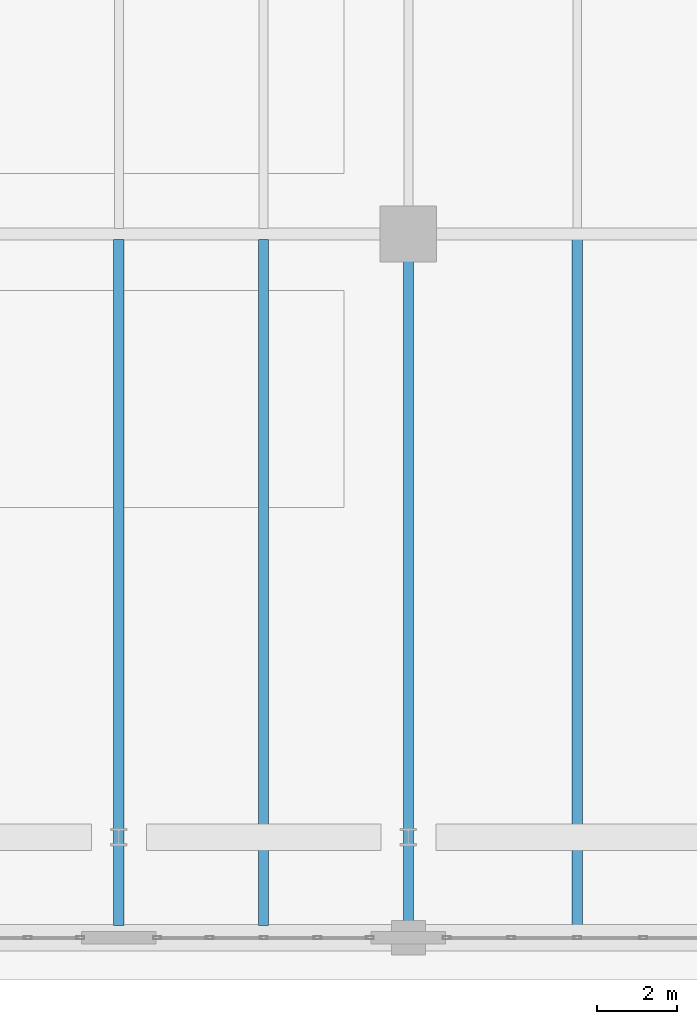
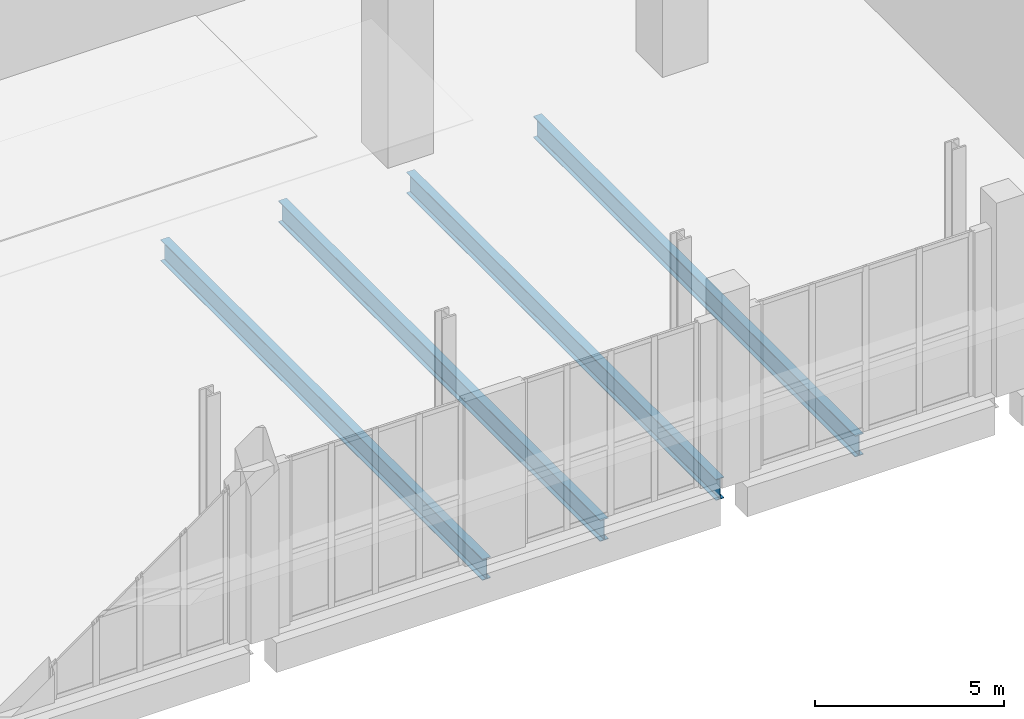
# One storey, part 13 of 29: 4 beams.
"""IFC4 building model written with IfcOpenShell, lengths in metres."""

import ifcopenshell
import ifcopenshell.guid

model = None  # the IFC model being written
_history = None  # IfcOwnerHistory: only IFC2X3 demands one
_inside = {}  # id of a spatial element -> (the spatial element, [elements in it])
_under = {}  # id of a project, library or spatial element -> (it, [spatial elements below it])
_declared = {}  # id of a project -> (the project, [libraries it declares])
_typed = {}  # id of a type object -> (the type object, [elements of that type])
_made_of = {}  # id of a material, layer set ... -> (it, [elements and type objects made of it])


def new_model(schema):
    """Start an empty IFC model of exactly this schema.

    Asked for "IFC4X3", IfcOpenShell would pick the latest addendum, in which some entities
    have other attributes; the version numbers below select the first issue.
    IFC2X3 requires an IfcOwnerHistory on every rooted entity: one is made here for all.
    """
    global model, _history
    if schema == "IFC4X3":
        model = ifcopenshell.file(schema_version=(4, 3, 0, 0))
    else:
        model = ifcopenshell.file(schema=schema)
    _inside.clear()
    _under.clear()
    _declared.clear()
    _typed.clear()
    _made_of.clear()
    _history = None
    if model.schema == "IFC2X3":
        org = make("IfcOrganization", Name="unknown")
        user = make(
            "IfcPersonAndOrganization",
            ThePerson=make("IfcPerson", FamilyName="unknown"),
            TheOrganization=org,
        )
        app = make(
            "IfcApplication",
            ApplicationDeveloper=org,
            Version="unknown",
            ApplicationFullName="unknown",
            ApplicationIdentifier="unknown",
        )
        _history = make(
            "IfcOwnerHistory",
            OwningUser=user,
            OwningApplication=app,
            ChangeAction="ADDED",
            CreationDate=0,
        )
    return model


def make(cls, **values):
    """One entity of the class cls with the attributes given. An attribute that is None is left unset."""
    return model.create_entity(
        cls, **{name: value for name, value in values.items() if value is not None}
    )


def rooted(cls, **values):
    """An entity with a GlobalId (a new one), such as an element, a storey or a relation."""
    return make(cls, GlobalId=ifcopenshell.guid.new(), OwnerHistory=_history, **values)


def si_unit(unit_type, name, prefix=None):
    """IfcSIUnit, for example si_unit("LENGTHUNIT", "METRE", prefix="MILLI")."""
    return make("IfcSIUnit", UnitType=unit_type, Prefix=prefix, Name=name)


def assignment(units):
    """IfcUnitAssignment: the units of a project."""
    return None if units is None else make("IfcUnitAssignment", Units=units)


def point(xyz):
    """IfcCartesianPoint."""
    return None if xyz is None else make("IfcCartesianPoint", Coordinates=xyz)


def direction(xyz):
    """IfcDirection."""
    return None if xyz is None else make("IfcDirection", DirectionRatios=xyz)


def frame(location, z_axis=None, x_axis=None):
    """IfcAxis2Placement3D, a coordinate frame: its origin and axes. An axis left out is left unset."""
    return make(
        "IfcAxis2Placement3D",
        Location=point(location),
        Axis=direction(z_axis),
        RefDirection=direction(x_axis),
    )


def frame_2d(location, x_axis=None):
    """IfcAxis2Placement2D, a coordinate frame in the plane: its origin and x axis."""
    return make(
        "IfcAxis2Placement2D", Location=point(location), RefDirection=direction(x_axis)
    )


def origin():
    """The frame at (0, 0, 0) with its axes left unset."""
    return frame((0.0, 0.0, 0.0))


def origin_2d():
    """The frame at (0, 0) in the plane with its x axis left unset."""
    return frame_2d((0.0, 0.0))


def place(relative_to, where):
    """IfcLocalPlacement: puts the frame where relative to a parent placement (None: the world)."""
    return make(
        "IfcLocalPlacement", PlacementRelTo=relative_to, RelativePlacement=where
    )


def context(
    kind, dimensions, precision=None, world=None, true_north=None, identifier=None
):
    """IfcGeometricRepresentationContext, for example the 3D "Model" context."""
    return make(
        "IfcGeometricRepresentationContext",
        ContextIdentifier=identifier,
        ContextType=kind,
        CoordinateSpaceDimension=dimensions,
        Precision=precision,
        WorldCoordinateSystem=world,
        TrueNorth=true_north,
    )


def subcontext(parent, identifier, kind, view, scale=None):
    """IfcGeometricRepresentationSubContext, for example "Body" below "Model"."""
    return make(
        "IfcGeometricRepresentationSubContext",
        ContextIdentifier=identifier,
        ContextType=kind,
        ParentContext=parent,
        TargetScale=scale,
        TargetView=view,
    )


def project(units=None, contexts=None):
    """IfcProject with its units and contexts."""
    return rooted(
        "IfcProject",
        Name="project",
        RepresentationContexts=contexts,
        UnitsInContext=assignment(units),
    )


def spatial(cls, under=None, at=None, **own):
    """A site, building, storey or space (cls), placed at a placement, below another one or the project."""
    s = rooted(cls, ObjectPlacement=at, **own)
    if under is not None:
        _under.setdefault(under.id(), (under, []))[1].append(s)
    return s


def profile(cls, at=None, kind="AREA", **sizes):
    """A parametric profile (cls). Its sizes go by their IFC names, for example OverallWidth=200.0."""
    return make(cls, ProfileType=kind, Position=at, **sizes)


def i_section(**sizes):
    """IfcIShapeProfileDef."""
    return profile("IfcIShapeProfileDef", **sizes)


def extrude(swept, where, along, depth):
    """IfcExtrudedAreaSolid: the profile swept, set in the frame where, extruded along a direction by depth."""
    return make(
        "IfcExtrudedAreaSolid",
        SweptArea=swept,
        Position=where,
        ExtrudedDirection=direction(along),
        Depth=depth,
    )


def shape(context_of_items, identifier, shape_type, items):
    """IfcShapeRepresentation: the items that make up one representation, for example the "Body"."""
    return make(
        "IfcShapeRepresentation",
        ContextOfItems=context_of_items,
        RepresentationIdentifier=identifier,
        RepresentationType=shape_type,
        Items=items,
    )


def material(Name=None, Category=None):
    """IfcMaterial."""
    return make("IfcMaterial", Name=Name, Category=Category)


def material_profile(
    of_material, cross_section, Name=None, Category=None, Priority=None
):
    """IfcMaterialProfile: a cross section and its material."""
    return make(
        "IfcMaterialProfile",
        Name=Name,
        Material=of_material,
        Profile=cross_section,
        Priority=Priority,
        Category=Category,
    )


def profile_set(profiles, Name=None, composite=None):
    """IfcMaterialProfileSet."""
    return make(
        "IfcMaterialProfileSet",
        Name=Name,
        MaterialProfiles=profiles,
        CompositeProfile=composite,
    )


def made_of(thing, what):
    """Note that an element or type object is made of a material, layer set ...; save() writes the relation."""
    if what is not None:
        _made_of.setdefault(what.id(), (what, []))[1].append(thing)
    return thing


def type_object(cls, material=None, **own):
    """A type object (cls), such as IfcWallType, which elements share."""
    return made_of(rooted(cls, **own), material)


def element(
    cls,
    number,
    at=None,
    inside=None,
    cuts=None,
    type_object=None,
    material=None,
    context=None,
    identifier="Body",
    shape_type=None,
    held_by="IfcProductDefinitionShape",
    body=None,
    shapes=None,
    **own,
):
    """One element of the class cls, such as IfcWall. Its Tag is "e" and its number.

    at: its placement. inside: the storey or other place that contains it. cuts: it is an
    opening in that element (IfcRelVoidsElement). A single representation is given by context,
    identifier, shape_type and body (its items); several are given by shapes. held_by: the class
    of the entity that holds the representations. save() writes the other relations.
    """
    e = rooted(cls, Tag="e%d" % number, ObjectPlacement=at, **own)
    if body is not None:
        shapes = [shape(context, identifier, shape_type, body)]
    if shapes is not None:
        e.Representation = make(held_by, Representations=shapes)
    if inside is not None:
        _inside.setdefault(inside.id(), (inside, []))[1].append(e)
    if cuts is not None:
        rooted(
            "IfcRelVoidsElement", RelatingBuildingElement=cuts, RelatedOpeningElement=e
        )
    if type_object is not None:
        _typed.setdefault(type_object.id(), (type_object, []))[1].append(e)
    return made_of(e, material)


def aggregate(whole, parts):
    """IfcRelAggregates: a whole, such as a stair, and the parts it consists of."""
    return rooted("IfcRelAggregates", RelatingObject=whole, RelatedObjects=parts)


def save(model, path):
    """Write the relations noted so far, then the file.

    IfcRelAggregates (storeys below a building ...), IfcRelContainedInSpatialStructure (elements
    in a storey), IfcRelDefinesByType, IfcRelAssociatesMaterial and IfcRelDeclares: one each for
    every whole, place, type object, material and project.
    """
    for whole, parts in _under.values():
        aggregate(whole, parts)
    for where, things in _inside.values():
        rooted(
            "IfcRelContainedInSpatialStructure",
            RelatedElements=things,
            RelatingStructure=where,
        )
    for kind, things in _typed.values():
        rooted("IfcRelDefinesByType", RelatedObjects=things, RelatingType=kind)
    for what, things in _made_of.values():
        rooted("IfcRelAssociatesMaterial", RelatedObjects=things, RelatingMaterial=what)
    for by, libraries in _declared.values():
        rooted("IfcRelDeclares", RelatingContext=by, RelatedDefinitions=libraries)
    model.write(path)


model = new_model("IFC4")

# Units and contexts
model_context = context("Model", 3, precision=1e-05, world=origin(), true_north=direction((0.0, 1.0)))
body_context = subcontext(model_context, "Body", "Model", "MODEL_VIEW")
ifc_project = project(units=[si_unit("LENGTHUNIT", "METRE"), si_unit("AREAUNIT", "SQUARE_METRE"), si_unit("VOLUMEUNIT", "CUBIC_METRE"), si_unit("PLANEANGLEUNIT", "RADIAN"), si_unit("MASSUNIT", "GRAM", prefix="KILO")], contexts=[model_context])

# Site, building, storey
site_placement = place(None, origin())
site = spatial("IfcSite", under=ifc_project, at=site_placement, CompositionType="ELEMENT")
building_placement = place(site_placement, origin())
building = spatial("IfcBuilding", under=site, at=building_placement, Name="Kaelvorn Grand Hotel", CompositionType="ELEMENT")
storey_placement = place(building_placement, frame((0.0, 0.0, 19.39990234375)))
storey = spatial("IfcBuildingStorey", under=building, at=storey_placement, Name="L03", CompositionType="ELEMENT", Elevation=19.39990234375)

# Beams
ifc_material = material(Name="Steel S355", Category="steel")
ifc_material_profile = material_profile(ifc_material, i_section(OverallWidth=0.25439453125, OverallDepth=0.6875, WebThickness=0.01318359375, FlangeThickness=0.02099609375, FilletRadius=0.01513671875, at=origin_2d()), Name="UB 686x254x152")
ifc_profile_set = profile_set([ifc_material_profile], Name="Steel S355")
beam_type = type_object("IfcBeamType", Name="BM-J-UB686-S355", PredefinedType="JOIST", material=ifc_profile_set)
for number, where, z_axis, x_axis, name in (
    (1, (30.60009765625, -2.18994140625, -0.66357421875), (0.0, 1.0, 0.0), (-1.0, 0.0, 0.0), "L03 Composite Floor Joist JS-09"),
    (2, (34.199951171875, -2.18994140625, -0.66357421875), (0.0, 1.0, 0.0), (-1.0, 0.0, 0.0), "L03 Composite Floor Joist JS-10"),
):
    element("IfcBeam", number, at=place(storey_placement, frame(where, z_axis=z_axis, x_axis=x_axis)), inside=storey, type_object=beam_type, Name=name, PredefinedType="JOIST", context=body_context, shape_type="SweptSolid", body=[
        extrude(i_section(OverallWidth=0.25439453125, OverallDepth=0.6875, WebThickness=0.01318359375, FlangeThickness=0.02099609375, FilletRadius=0.01513671875, at=origin_2d()), origin(), (0.0, 0.0, 1.0), 17.05224609375),
    ])
beam_1_placement = place(storey_placement, frame((37.800048828125, -2.090087890625, -0.66357421875), z_axis=(0.0, 1.0, 0.0), x_axis=(-1.0, 0.0, 0.0)))
element("IfcBeam", 3, at=beam_1_placement, inside=storey, type_object=beam_type, Name="L03 Composite Floor Joist JS-11", PredefinedType="JOIST", context=body_context, shape_type="SweptSolid", body=[
    extrude(i_section(OverallWidth=0.25439453125, OverallDepth=0.6875, WebThickness=0.01318359375, FlangeThickness=0.02099609375, FilletRadius=0.01513671875, at=origin_2d()), origin(), (0.0, 0.0, 1.0), 16.405029296875),
])
beam_2_placement = place(storey_placement, frame((42.0, -2.18994140625, -0.66357421875), z_axis=(0.0, 1.0, 0.0), x_axis=(-1.0, 0.0, 0.0)))
element("IfcBeam", 4, at=beam_2_placement, inside=storey, type_object=beam_type, Name="L03 Composite Floor Joist JS-12", PredefinedType="JOIST", context=body_context, shape_type="SweptSolid", body=[
    extrude(i_section(OverallWidth=0.25439453125, OverallDepth=0.6875, WebThickness=0.01318359375, FlangeThickness=0.02099609375, FilletRadius=0.01513671875, at=origin_2d()), origin(), (0.0, 0.0, 1.0), 17.05224609375),
])

save(model, "model.ifc")
